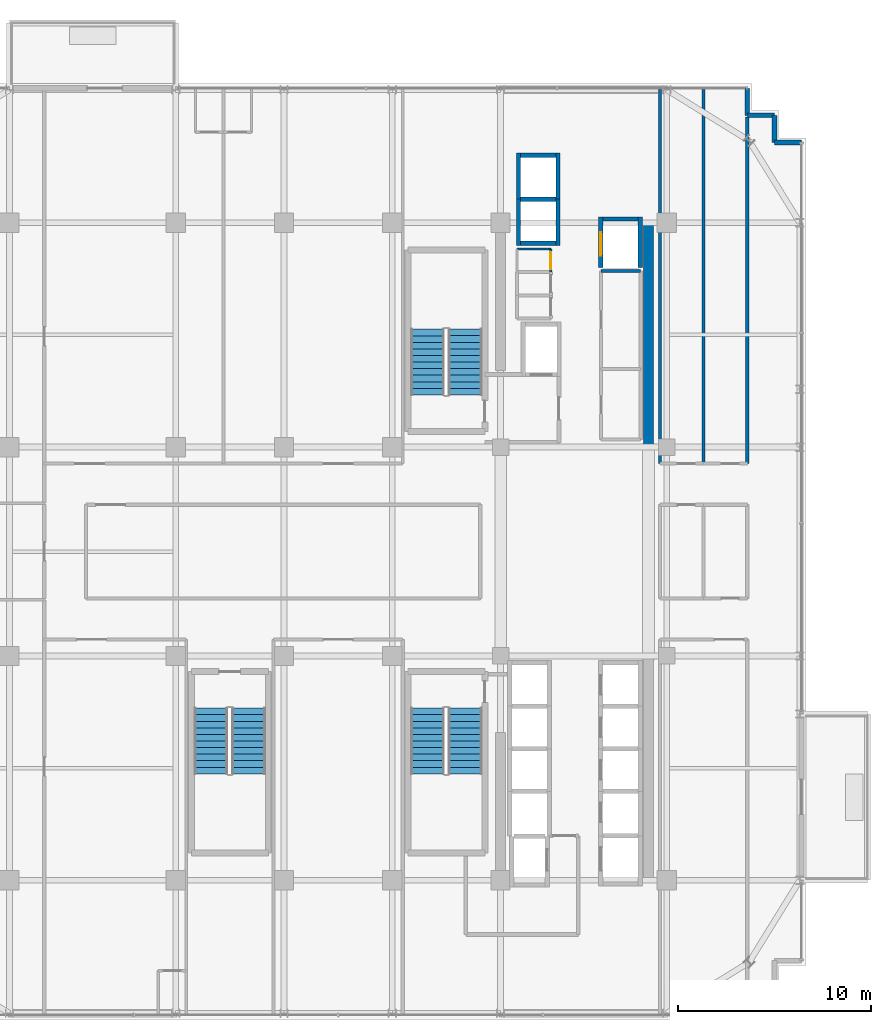
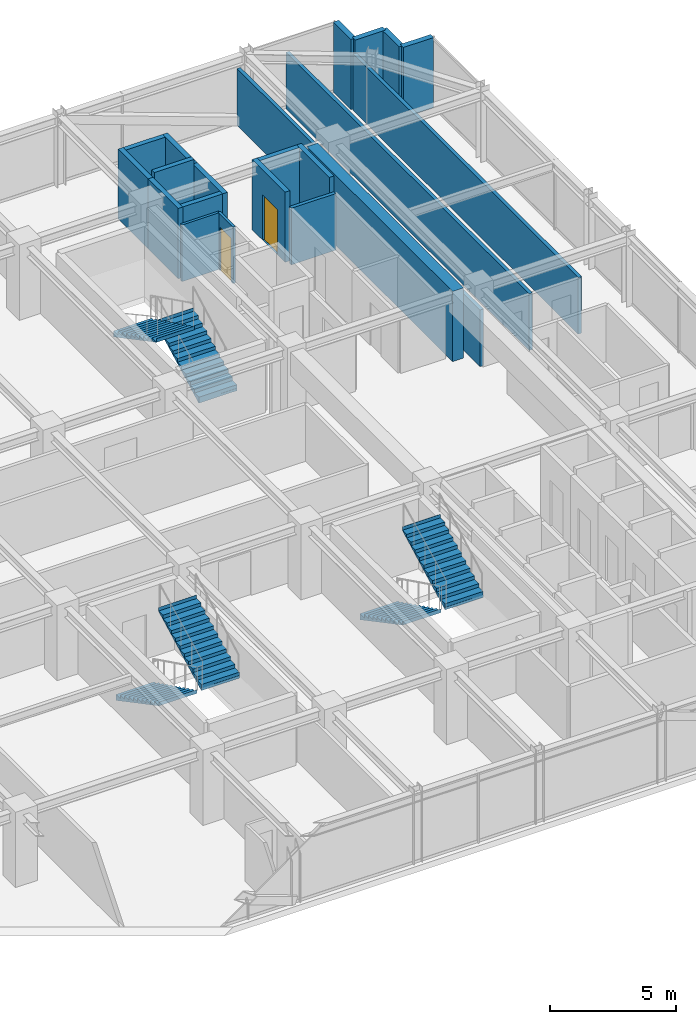
# One storey, part 33 of 36: 21 walls, 6 stair flights, 2 doors, 2 openings, 3 elements without a shape of their own.
"""IFC4 building model written with IfcOpenShell, lengths in metres."""

from ifc_helpers import new_model, si_unit, direction, frame, frame_2d, origin, place, context, subcontext, project, spatial, polyline, rectangle, outline, extrude, source, transform, mapped, material, layer, layer_set, type_object, element, fill, aggregate, save


model = new_model("IFC4")

# Units and contexts
model_context = context("Model", 3, precision=1e-05, world=origin(), true_north=direction((0.0, 1.0)))
body_context = subcontext(model_context, "Body", "Model", "MODEL_VIEW")
ifc_project = project(units=[si_unit("LENGTHUNIT", "METRE"), si_unit("AREAUNIT", "SQUARE_METRE"), si_unit("VOLUMEUNIT", "CUBIC_METRE"), si_unit("PLANEANGLEUNIT", "RADIAN"), si_unit("MASSUNIT", "GRAM", prefix="KILO")], contexts=[model_context])

# Site, building, storey
site_placement = place(None, origin())
site = spatial("IfcSite", under=ifc_project, at=site_placement, CompositionType="ELEMENT")
building_placement = place(site_placement, origin())
building = spatial("IfcBuilding", under=site, at=building_placement, Name="Nahalor Promenade Grand Hotel", CompositionType="ELEMENT")
storey_placement = place(building_placement, frame((0.0, 0.0, 234.5)))
storey = spatial("IfcBuildingStorey", under=building, at=storey_placement, Name="L60", CompositionType="ELEMENT", Elevation=234.5)

# Walls
ifc_material_1 = material(Name="Concrete B-60 (C50/60)", Category="concrete")
ifc_layer_1 = layer(ifc_material_1, 0.5)
ifc_layer_set_1 = layer_set([ifc_layer_1], Name="Concrete B-60 (C50/60)")
wall_type_1 = type_object("IfcWallType", Name="Wall-CoreShear-500", PredefinedType="SHEAR", material=ifc_layer_set_1)
shared_shape_1 = source(origin(), body_context, "Body", "SweptSolid", [
    extrude(rectangle(XDim=11.60009765625, YDim=0.5, at=frame_2d((5.800048828125, 0.0))), origin(), (0.0, 0.0, 1.0), 3.409912109375),
])
wall_1_placement = place(storey_placement, frame((16.050048828125, 5.39990234375, 0.0), z_axis=(0.0, 0.0, 1.0), x_axis=(0.0, 1.0, 0.0)))
element("IfcWall", 1, at=wall_1_placement, inside=storey, type_object=wall_type_1, Name="CWALL-L60-NE", PredefinedType="SHEAR", context=body_context, shape_type="MappedRepresentation", body=[
    mapped(shared_shape_1, transform((0.0, 0.0, 0.0), scale=1.0)),
])
ifc_material_2 = material(Name="Concrete B-50 (C40/50)", Category="concrete")
ifc_layer_2 = layer(ifc_material_2, 0.219970703125)
ifc_layer_set_2 = layer_set([ifc_layer_2], Name="Concrete B-50 (C40/50)")
wall_type_2 = type_object("IfcWallType", Name="Wall-LiftShaft-220", PredefinedType="SHEAR", material=ifc_layer_set_2)
shared_shape_2 = source(origin(), body_context, "Body", "SweptSolid", [
    extrude(rectangle(XDim=1.820068359375, YDim=0.219970703125, at=frame_2d((0.91015625, 0.0))), origin(), (0.0, 0.0, 1.0), 3.409912109375),
])
for number, where, z_axis, x_axis, name in (
    (2, (9.43994140625, 15.949951171875, 0.0), (0.0, 0.0, 1.0), (1.0, 0.0, 0.0), "L60 Lift OB1 Hoistway Wall S"),
    (3, (9.43994140625, 20.5, 0.0), (0.0, 0.0, 1.0), (1.0, 0.0, 0.0), "L60 Lift OB2 Hoistway Wall N"),
    (4, (13.68994140625, 17.199951171875, 0.0), (0.0, 0.0, 1.0), (1.0, 0.0, 0.0), "L60 Lift SV1 Hoistway Wall N"),
):
    element("IfcWall", number, at=place(storey_placement, frame(where, z_axis=z_axis, x_axis=x_axis)), inside=storey, type_object=wall_type_2, Name=name, PredefinedType="SHEAR", context=body_context, shape_type="MappedRepresentation", body=[
        mapped(shared_shape_2, transform((0.0, 0.0, 0.0), scale=1.0)),
    ])
shared_shape_3 = source(origin(), body_context, "Body", "SweptSolid", [
    extrude(rectangle(XDim=1.820068359375, YDim=0.219970703125, at=frame_2d((0.91015625, 0.0))), origin(), (0.0, 0.0, 1.0), 3.699951171875),
])
wall_2_placement = place(storey_placement, frame((9.43994140625, 18.22509765625, 0.0), z_axis=(0.0, 0.0, 1.0), x_axis=(1.0, 0.0, 0.0)))
element("IfcWall", 5, at=wall_2_placement, inside=storey, type_object=wall_type_2, Name="L60 Lift OB1 Hoistway Wall N", PredefinedType="SHEAR", context=body_context, shape_type="MappedRepresentation", body=[
    mapped(shared_shape_3, transform((0.0, 0.0, 0.0), scale=1.0)),
])
shared_shape_4 = source(origin(), body_context, "Body", "SweptSolid", [
    extrude(rectangle(XDim=2.385009765625, YDim=0.219970703125, at=frame_2d((1.1923828125, 0.0))), origin(), (0.0, 0.0, 1.0), 3.409912109375),
])
for number, where, z_axis, x_axis, name in (
    (6, (9.330078125, 15.840087890625, 0.0), (0.0, 0.0, 1.0), (0.0, 1.0, 0.0), "L60 Lift OB1 Hoistway Wall W"),
    (7, (11.3701171875, 15.840087890625, 0.0), (0.0, 0.0, 1.0), (0.0, 1.0, 0.0), "L60 Lift OB1 Hoistway Wall E"),
    (8, (9.330078125, 18.22509765625, 0.0), (0.0, 0.0, 1.0), (0.0, 1.0, 0.0), "L60 Lift OB2 Hoistway Wall W"),
    (9, (11.3701171875, 18.22509765625, 0.0), (0.0, 0.0, 1.0), (0.0, 1.0, 0.0), "L60 Lift OB2 Hoistway Wall E"),
):
    element("IfcWall", number, at=place(storey_placement, frame(where, z_axis=z_axis, x_axis=x_axis)), inside=storey, type_object=wall_type_2, Name=name, PredefinedType="SHEAR", context=body_context, shape_type="MappedRepresentation", body=[
        mapped(shared_shape_4, transform((0.0, 0.0, 0.0), scale=1.0)),
    ])

# Wall, opening, door
shared_shape_5 = source(origin(), body_context, "Body", "SweptSolid", [
    extrude(rectangle(XDim=2.610107421875, YDim=0.219970703125, at=frame_2d((1.30517578125, 0.0))), origin(), (0.0, 0.0, 1.0), 3.409912109375),
])
wall_3_placement = place(storey_placement, frame((13.580078125, 14.699951171875, 0.0), z_axis=(0.0, 0.0, 1.0), x_axis=(0.0, 1.0, 0.0)))
wall_3 = element("IfcWall", 10, at=wall_3_placement, inside=storey, type_object=wall_type_2, Name="L60 Lift SV1 Hoistway Wall W", PredefinedType="SHEAR", context=body_context, shape_type="MappedRepresentation", body=[
    mapped(shared_shape_5, transform((0.0, 0.0, 0.0), scale=1.0)),
])
opening_1_placement = place(wall_3_placement, frame((0.60009765625, 0.0, 0.0)))
opening_1 = element("IfcOpeningElement", 11, at=opening_1_placement, cuts=wall_3, Name="Opening LD-03", PredefinedType="OPENING", context=body_context, shape_type="SweptSolid", body=[
    extrude(rectangle(XDim=1.199951171875, YDim=2.199951171875, at=frame_2d((0.60009765625, 1.10009765625))), frame((0.0, 0.119873046875, 0.0), z_axis=(0.0, -1.0, 0.0), x_axis=(1.0, 0.0, 0.0)), (0.0, 0.0, 1.0), 0.239990234375),
])
ifc_material_3 = material(Name="Steel S355JR", Category="steel")
door_type_1 = type_object("IfcDoorType", Name="Door-LiftService-1200", OperationType="DOUBLE_DOOR_SLIDING", PredefinedType="DOOR", material=ifc_material_3)
shared_shape_6 = source(origin(), body_context, "Body", "SweptSolid", [
    extrude(rectangle(XDim=1.199951171875, YDim=2.199951171875, at=frame_2d((0.60009765625, 1.10009765625))), frame((0.0, 0.02490234375, 0.0), z_axis=(0.0, -1.0, 0.0), x_axis=(1.0, 0.0, 0.0)), (0.0, 0.0, 1.0), 0.050048828125),
])
door_1_placement = place(opening_1_placement, origin())
door_1 = element("IfcDoor", 12, at=door_1_placement, inside=storey, type_object=door_type_1, Name="DR-LIFT-SV1-L60", OperationType="DOUBLE_DOOR_SLIDING", OverallHeight=2.199951171875, OverallWidth=1.199951171875, PredefinedType="DOOR", context=body_context, shape_type="MappedRepresentation", body=[
    mapped(shared_shape_6, transform((0.0, 0.0, 0.0), scale=1.0)),
])
fill(opening_1, door_1)

# Walls
wall_4_placement = place(storey_placement, frame((15.6201171875, 14.699951171875, 0.0), z_axis=(0.0, 0.0, 1.0), x_axis=(0.0, 1.0, 0.0)))
element("IfcWall", 13, at=wall_4_placement, inside=storey, type_object=wall_type_2, Name="L60 Lift SV1 Hoistway Wall E", PredefinedType="SHEAR", context=body_context, shape_type="MappedRepresentation", body=[
    mapped(shared_shape_5, transform((0.0, 0.0, 0.0), scale=1.0)),
])
ifc_material_4 = material(Name="Concrete B-40 (C32/40)", Category="concrete")
ifc_layer_3 = layer(ifc_material_4, 0.25)
ifc_layer_set_3 = layer_set([ifc_layer_3], Name="Concrete B-40 (C32/40)")
wall_type_3 = type_object("IfcWallType", Name="Wall-BronzePier-250", PredefinedType="STANDARD", material=ifc_layer_set_3)
shared_shape_7 = source(origin(), body_context, "Body", "SweptSolid", [
    extrude(rectangle(XDim=1.39990234375, YDim=0.25, at=frame_2d((0.699951171875, 0.0))), origin(), (0.0, 0.0, 1.0), 3.409912109375),
])
for number, where, z_axis, x_axis, name in (
    (14, (22.56005859375, 21.159912109375, 0.0), (0.0, 0.0, 1.0), (1.0, 0.0, 0.0), "W-L60-SR-05"),
    (15, (21.159912109375, 22.56005859375, 0.0), (0.0, 0.0, 1.0), (0.0, 1.0, 0.0), "W-L60-SR-08"),
):
    element("IfcWall", number, at=place(storey_placement, frame(where, z_axis=z_axis, x_axis=x_axis)), inside=storey, type_object=wall_type_3, Name=name, PredefinedType="STANDARD", context=body_context, shape_type="MappedRepresentation", body=[
        mapped(shared_shape_7, transform((0.0, 0.0, 0.0), scale=1.0)),
    ])
shared_shape_8 = source(origin(), body_context, "Body", "SweptSolid", [
    extrude(rectangle(XDim=1.400146484375, YDim=0.25, at=frame_2d((0.7001953125, 0.0))), origin(), (0.0, 0.0, 1.0), 3.409912109375),
])
for number, where, z_axis, x_axis, name in (
    (16, (22.56005859375, 21.159912109375, 0.0), (0.0, 0.0, 1.0), (0.0, 1.0, 0.0), "W-L60-SR-06"),
    (17, (21.159912109375, 22.56005859375, 0.0), (0.0, 0.0, 1.0), (1.0, 0.0, 0.0), "W-L60-SR-07"),
):
    element("IfcWall", number, at=place(storey_placement, frame(where, z_axis=z_axis, x_axis=x_axis)), inside=storey, type_object=wall_type_3, Name=name, PredefinedType="STANDARD", context=body_context, shape_type="MappedRepresentation", body=[
        mapped(shared_shape_8, transform((0.0, 0.0, 0.0), scale=1.0)),
    ])
ifc_material_5 = material(Name="Acoustic Mineral Gypsum", Category="gypsum")
ifc_layer_4 = layer(ifc_material_5, 0.159912109375)
ifc_layer_set_4 = layer_set([ifc_layer_4], Name="Acoustic Mineral Gypsum")
wall_type_4 = type_object("IfcWallType", Name="Wall-PartCorridor-160", PredefinedType="PARTITIONING", material=ifc_layer_set_4)
shared_shape_9 = source(origin(), body_context, "Body", "SweptSolid", [
    extrude(rectangle(XDim=2.0498046875, YDim=0.159912109375, at=frame_2d((1.02490234375, 0.0))), origin(), (0.0, 0.0, 1.0), 2.75),
])
wall_5_placement = place(storey_placement, frame((13.60009765625, 14.5, 0.0), z_axis=(0.0, 0.0, 1.0), x_axis=(1.0, 0.0, 0.0)))
element("IfcWall", 18, at=wall_5_placement, inside=storey, type_object=wall_type_4, Name="W-L60-FRB1B-N", PredefinedType="PARTITIONING", context=body_context, shape_type="MappedRepresentation", body=[
    mapped(shared_shape_9, transform((0.0, 0.0, 0.0), scale=1.0)),
])
shared_shape_10 = source(origin(), body_context, "Body", "SweptSolid", [
    extrude(rectangle(XDim=19.349853515625, YDim=0.159912109375, at=frame_2d((9.6748046875, 0.0))), origin(), (0.0, 0.0, 1.0), 2.75),
])
for number, where, z_axis, x_axis, name in (
    (19, (16.64990234375, 4.550048828125, 0.0), (0.0, 0.0, 1.0), (0.0, 1.0, 0.0), "W-L60-ENE1-W"),
    (20, (18.905029296875, 4.550048828125, 0.0), (0.0, 0.0, 1.0), (0.0, 1.0, 0.0), "W-L60-ENE1-E"),
):
    element("IfcWall", number, at=place(storey_placement, frame(where, z_axis=z_axis, x_axis=x_axis)), inside=storey, type_object=wall_type_4, Name=name, PredefinedType="PARTITIONING", context=body_context, shape_type="MappedRepresentation", body=[
        mapped(shared_shape_10, transform((0.0, 0.0, 0.0), scale=1.0)),
    ])
shared_shape_11 = source(origin(), body_context, "Body", "SweptSolid", [
    extrude(rectangle(XDim=17.929931640625, YDim=0.159912109375, at=frame_2d((8.96484375, 0.0))), origin(), (0.0, 0.0, 1.0), 2.75),
])
wall_6_placement = place(storey_placement, frame((21.159912109375, 4.550048828125, 0.0), z_axis=(0.0, 0.0, 1.0), x_axis=(0.0, 1.0, 0.0)))
element("IfcWall", 21, at=wall_6_placement, inside=storey, type_object=wall_type_4, Name="W-L60-ENE2-E", PredefinedType="PARTITIONING", context=body_context, shape_type="MappedRepresentation", body=[
    mapped(shared_shape_11, transform((0.0, 0.0, 0.0), scale=1.0)),
])
ifc_layer_5 = layer(ifc_material_5, 0.1201171875)
ifc_layer_set_5 = layer_set([ifc_layer_5], Name="Acoustic Mineral Gypsum")
wall_type_5 = type_object("IfcWallType", Name="Wall-PartBath-120", PredefinedType="PARTITIONING", material=ifc_layer_set_5)
shared_shape_12 = source(origin(), body_context, "Body", "SweptSolid", [
    extrude(rectangle(XDim=1.75, YDim=0.1201171875, at=frame_2d((0.875, 0.0))), origin(), (0.0, 0.0, 1.0), 2.75),
])
wall_7_placement = place(storey_placement, frame((9.25, 15.64990234375, 0.0), z_axis=(0.0, 0.0, 1.0), x_axis=(1.0, 0.0, 0.0)))
element("IfcWall", 22, at=wall_7_placement, inside=storey, type_object=wall_type_5, Name="W-L60-CK3C-N", PredefinedType="PARTITIONING", context=body_context, shape_type="MappedRepresentation", body=[
    mapped(shared_shape_12, transform((0.0, 0.0, 0.0), scale=1.0)),
])

# Wall, opening, door
shared_shape_13 = source(origin(), body_context, "Body", "SweptSolid", [
    extrude(rectangle(XDim=1.199951171875, YDim=0.1201171875, at=frame_2d((0.60009765625, 0.0))), origin(), (0.0, 0.0, 1.0), 2.75),
])
wall_8_placement = place(storey_placement, frame((11.0, 14.449951171875, 0.0), z_axis=(0.0, 0.0, 1.0), x_axis=(0.0, 1.0, 0.0)))
wall_8 = element("IfcWall", 23, at=wall_8_placement, inside=storey, type_object=wall_type_5, Name="W-L60-CK3C-E", PredefinedType="PARTITIONING", context=body_context, shape_type="MappedRepresentation", body=[
    mapped(shared_shape_13, transform((0.0, 0.0, 0.0), scale=1.0)),
])
opening_2_placement = place(wall_8_placement, frame((0.159912109375, 0.0, 0.0)))
opening_2 = element("IfcOpeningElement", 24, at=opening_2_placement, cuts=wall_8, Name="Opening D-03", PredefinedType="OPENING", context=body_context, shape_type="SweptSolid", body=[
    extrude(rectangle(XDim=0.8798828125, YDim=2.10009765625, at=frame_2d((0.43994140625, 1.050048828125))), frame((0.0, 0.070068359375, 0.0), z_axis=(0.0, -1.0, 0.0), x_axis=(1.0, 0.0, 0.0)), (0.0, 0.0, 1.0), 0.14013671875),
])
ifc_material_6 = material(Name="Fire-Rated Timber Composite", Category="wood")
door_type_2 = type_object("IfcDoorType", Name="Door-BathSwing-880", OperationType="NOTDEFINED", PredefinedType="DOOR", material=ifc_material_6)
shared_shape_14 = source(origin(), body_context, "Body", "SweptSolid", [
    extrude(rectangle(XDim=0.8798828125, YDim=2.10009765625, at=frame_2d((0.43994140625, 1.050048828125))), frame((0.0, 0.02490234375, 0.0), z_axis=(0.0, -1.0, 0.0), x_axis=(1.0, 0.0, 0.0)), (0.0, 0.0, 1.0), 0.050048828125),
])
door_2_placement = place(opening_2_placement, origin())
door_2 = element("IfcDoor", 25, at=door_2_placement, inside=storey, type_object=door_type_2, Name="DR-L60-CK3C", OperationType="SINGLE_SWING_RIGHT", OverallHeight=2.10009765625, OverallWidth=0.8798828125, PredefinedType="DOOR", context=body_context, shape_type="MappedRepresentation", body=[
    mapped(shared_shape_14, transform((0.0, 0.0, 0.0), scale=1.0)),
])
fill(opening_2, door_2)

# Stair, stair flights
stair_type_1 = type_object("IfcStairType", Name="Stair-ST1", PredefinedType="HALF_TURN_STAIR", material=ifc_material_2)
stair_1_placement = place(storey_placement, origin())
stair_1 = element("IfcStair", 26, at=stair_1_placement, inside=storey, type_object=stair_type_1, Name="L60 ST1", PredefinedType="HALF_TURN_STAIR")
ifc_layer_6 = layer(ifc_material_2, 0.179931640625)
ifc_layer_set_6 = layer_set([ifc_layer_6], Name="Concrete B-50 (C40/50)")
stair_flight_type_1 = type_object("IfcStairFlightType", Name="Flight-ST1", PredefinedType="STRAIGHT", material=ifc_layer_set_6)
shared_shape_15 = source(origin(), body_context, "Body", "SweptSolid", [
    extrude(outline(polyline([(-0.00390625, -0.1201171875), (-0.00390625, 0.0), (0.0, 0.0), (0.0, 0.168212890625), (0.340087890625, 0.168212890625), (0.340087890625, 0.33642578125), (0.679931640625, 0.33642578125), (0.679931640625, 0.504638671875), (1.02001953125, 0.504638671875), (1.02001953125, 0.672607421875), (1.360107421875, 0.672607421875), (1.360107421875, 0.8408203125), (1.699951171875, 0.8408203125), (1.699951171875, 1.009033203125), (2.0400390625, 1.009033203125), (2.0400390625, 1.17724609375), (2.3798828125, 1.17724609375), (2.3798828125, 1.345458984375), (2.719970703125, 1.345458984375), (2.719970703125, 1.513671875), (3.06005859375, 1.513671875), (3.06005859375, 1.681884765625), (3.39990234375, 1.681884765625), (3.39990234375, 1.85009765625), (3.404052734375, 1.85009765625), (3.404052734375, 1.669921875), (0.02001953125, -0.1201171875), (-0.00390625, -0.1201171875)])), frame((0.0, 0.875, 0.0), z_axis=(0.0, -1.0, 0.0), x_axis=(1.0, 0.0, 0.0)), (0.0, 0.0, 1.0), 1.75),
])
stair_flight_1_placement = place(storey_placement, frame((6.574951171875, 8.10009765625, 0.0), z_axis=(0.0, 0.0, 1.0), x_axis=(0.0, 1.0, 0.0)))
stair_flight_1 = element("IfcStairFlight", 27, at=stair_flight_1_placement, type_object=stair_flight_type_1, Name="ST1 flight 1", NumberOfRisers=11, NumberOfTreads=10, PredefinedType="STRAIGHT", RiserHeight=0.168181818, TreadLength=0.34, context=body_context, shape_type="MappedRepresentation", body=[
    mapped(shared_shape_15, transform((0.0, 0.0, 0.0), scale=1.0)),
])
stair_flight_2_placement = place(storey_placement, frame((4.625, 11.5, 1.85009765625), z_axis=(0.0, 0.0, 1.0), x_axis=(0.0, -1.0, 0.0)))
stair_flight_2 = element("IfcStairFlight", 28, at=stair_flight_2_placement, type_object=stair_flight_type_1, Name="ST1 flight 2", NumberOfRisers=11, NumberOfTreads=10, PredefinedType="STRAIGHT", RiserHeight=0.168181818, TreadLength=0.34, context=body_context, shape_type="MappedRepresentation", body=[
    mapped(shared_shape_15, transform((0.0, 0.0, 0.0), scale=1.0)),
])
aggregate(stair_1, [stair_flight_1, stair_flight_2])

stair_type_2 = type_object("IfcStairType", Name="Stair-ST2", PredefinedType="HALF_TURN_STAIR", material=ifc_material_2)
stair_2_placement = place(storey_placement, origin())
stair_2 = element("IfcStair", 29, at=stair_2_placement, inside=storey, type_object=stair_type_2, Name="L60 ST2", PredefinedType="HALF_TURN_STAIR")
ifc_layer_7 = layer(ifc_material_2, 0.18994140625)
ifc_layer_set_7 = layer_set([ifc_layer_7], Name="Concrete B-50 (C40/50)")
stair_flight_type_2 = type_object("IfcStairFlightType", Name="Flight-ST2", PredefinedType="STRAIGHT", material=ifc_layer_set_7)
shared_shape_16 = source(origin(), body_context, "Body", "SweptSolid", [
    extrude(outline(polyline([(-0.00390625, -0.1201171875), (-0.00390625, 0.0), (0.0, 0.0), (0.0, 0.168212890625), (0.340087890625, 0.168212890625), (0.340087890625, 0.33642578125), (0.679931640625, 0.33642578125), (0.679931640625, 0.504638671875), (1.02001953125, 0.504638671875), (1.02001953125, 0.672607421875), (1.360107421875, 0.672607421875), (1.360107421875, 0.8408203125), (1.699951171875, 0.8408203125), (1.699951171875, 1.009033203125), (2.0400390625, 1.009033203125), (2.0400390625, 1.17724609375), (2.3798828125, 1.17724609375), (2.3798828125, 1.345458984375), (2.719970703125, 1.345458984375), (2.719970703125, 1.513671875), (3.06005859375, 1.513671875), (3.06005859375, 1.681884765625), (3.39990234375, 1.681884765625), (3.39990234375, 1.85009765625), (3.404052734375, 1.85009765625), (3.404052734375, 1.669921875), (0.02001953125, -0.1201171875), (-0.00390625, -0.1201171875)])), frame((0.0, 0.875, 0.0), z_axis=(0.0, -1.0, 0.0), x_axis=(1.0, 0.0, 0.0)), (0.0, 0.0, 1.0), 1.75),
])
stair_flight_3_placement = place(storey_placement, frame((4.625, -8.10009765625, 0.0), z_axis=(0.0, 0.0, 1.0), x_axis=(0.0, -1.0, 0.0)))
stair_flight_3 = element("IfcStairFlight", 30, at=stair_flight_3_placement, type_object=stair_flight_type_2, Name="ST2 flight 1", NumberOfRisers=11, NumberOfTreads=10, PredefinedType="STRAIGHT", RiserHeight=0.168181818, TreadLength=0.34, context=body_context, shape_type="MappedRepresentation", body=[
    mapped(shared_shape_16, transform((0.0, 0.0, 0.0), scale=1.0)),
])
stair_flight_4_placement = place(storey_placement, frame((6.574951171875, -11.5, 1.85009765625), z_axis=(0.0, 0.0, 1.0), x_axis=(0.0, 1.0, 0.0)))
stair_flight_4 = element("IfcStairFlight", 31, at=stair_flight_4_placement, type_object=stair_flight_type_2, Name="ST2 flight 2", NumberOfRisers=11, NumberOfTreads=10, PredefinedType="STRAIGHT", RiserHeight=0.168181818, TreadLength=0.34, context=body_context, shape_type="MappedRepresentation", body=[
    mapped(shared_shape_16, transform((0.0, 0.0, 0.0), scale=1.0)),
])
aggregate(stair_2, [stair_flight_3, stair_flight_4])

stair_type_3 = type_object("IfcStairType", Name="Stair-ST3", PredefinedType="HALF_TURN_STAIR", material=ifc_material_2)
stair_3_placement = place(storey_placement, origin())
stair_3 = element("IfcStair", 32, at=stair_3_placement, inside=storey, type_object=stair_type_3, Name="L60 ST3", PredefinedType="HALF_TURN_STAIR")
ifc_layer_8 = layer(ifc_material_2, 0.199951171875)
ifc_layer_set_8 = layer_set([ifc_layer_8], Name="Concrete B-50 (C40/50)")
stair_flight_type_3 = type_object("IfcStairFlightType", Name="Flight-ST3", PredefinedType="STRAIGHT", material=ifc_layer_set_8)
shared_shape_17 = source(origin(), body_context, "Body", "SweptSolid", [
    extrude(outline(polyline([(-0.00390625, -0.1201171875), (-0.00390625, 0.0), (0.0, 0.0), (0.0, 0.168212890625), (0.340087890625, 0.168212890625), (0.340087890625, 0.33642578125), (0.679931640625, 0.33642578125), (0.679931640625, 0.504638671875), (1.02001953125, 0.504638671875), (1.02001953125, 0.672607421875), (1.360107421875, 0.672607421875), (1.360107421875, 0.8408203125), (1.699951171875, 0.8408203125), (1.699951171875, 1.009033203125), (2.0400390625, 1.009033203125), (2.0400390625, 1.17724609375), (2.3798828125, 1.17724609375), (2.3798828125, 1.345458984375), (2.719970703125, 1.345458984375), (2.719970703125, 1.513671875), (3.06005859375, 1.513671875), (3.06005859375, 1.681884765625), (3.39990234375, 1.681884765625), (3.39990234375, 1.85009765625), (3.404052734375, 1.85009765625), (3.404052734375, 1.669921875), (0.02001953125, -0.1201171875), (-0.00390625, -0.1201171875)])), frame((0.0, 0.875, 0.0), z_axis=(0.0, -1.0, 0.0), x_axis=(1.0, 0.0, 0.0)), (0.0, 0.0, 1.0), 1.75),
])
stair_flight_5_placement = place(storey_placement, frame((-6.574951171875, -8.10009765625, 0.0), z_axis=(0.0, 0.0, 1.0), x_axis=(0.0, -1.0, 0.0)))
stair_flight_5 = element("IfcStairFlight", 33, at=stair_flight_5_placement, type_object=stair_flight_type_3, Name="ST3 flight 1", NumberOfRisers=11, NumberOfTreads=10, PredefinedType="STRAIGHT", RiserHeight=0.168181818, TreadLength=0.34, context=body_context, shape_type="MappedRepresentation", body=[
    mapped(shared_shape_17, transform((0.0, 0.0, 0.0), scale=1.0)),
])
stair_flight_6_placement = place(storey_placement, frame((-4.625, -11.5, 1.85009765625), z_axis=(0.0, 0.0, 1.0), x_axis=(0.0, 1.0, 0.0)))
stair_flight_6 = element("IfcStairFlight", 34, at=stair_flight_6_placement, type_object=stair_flight_type_3, Name="ST3 flight 2", NumberOfRisers=11, NumberOfTreads=10, PredefinedType="STRAIGHT", RiserHeight=0.168181818, TreadLength=0.34, context=body_context, shape_type="MappedRepresentation", body=[
    mapped(shared_shape_17, transform((0.0, 0.0, 0.0), scale=1.0)),
])
aggregate(stair_3, [stair_flight_5, stair_flight_6])

save(model, "model.ifc")
